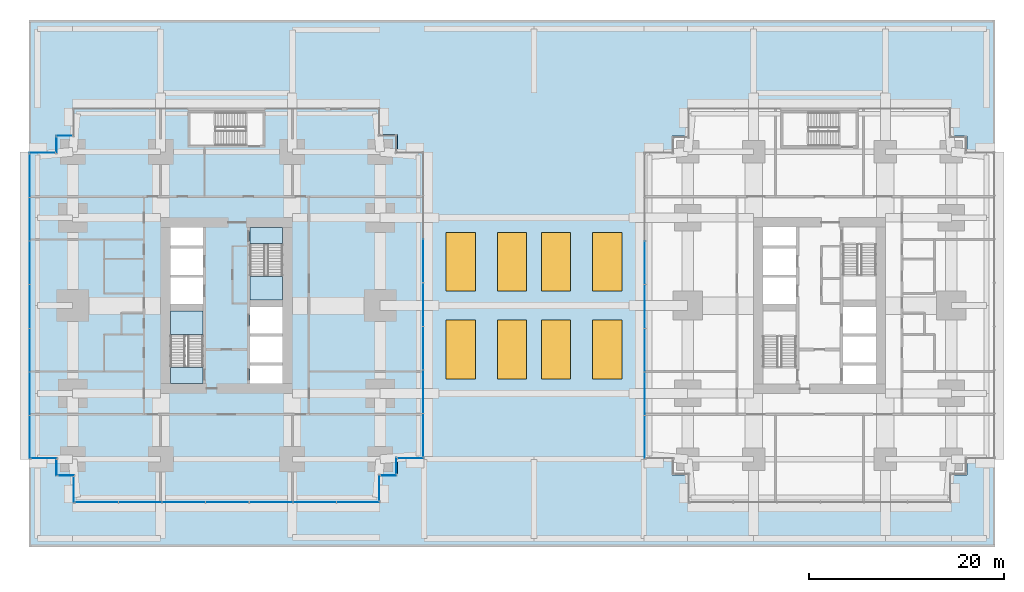
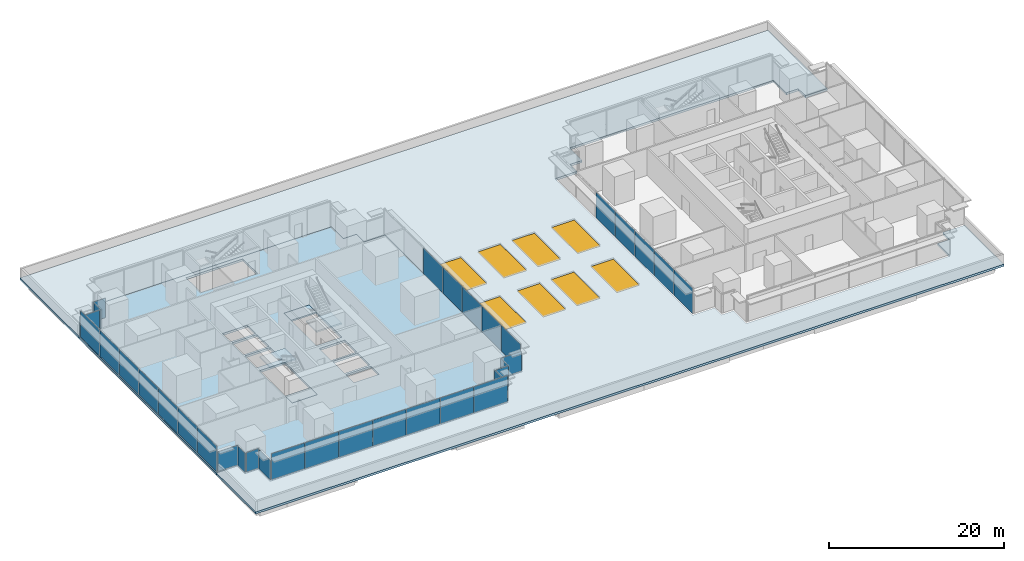
# One storey, part 21 of 34: 35 plates, 8 windows, 6 slabs, 8 openings, 17 elements without a shape of their own.
"""IFC4 building model written with IfcOpenShell, lengths in metres."""

from ifc_helpers import new_model, si_unit, direction, frame, origin, origin_2d, place, context, subcontext, project, spatial, polyline, rectangle, outline, extrude, material, layer, layer_set, type_object, element, fill, aggregate, save


model = new_model("IFC4")

# Units and contexts
model_context = context("Model", 3, precision=1e-05, world=origin(), true_north=direction((0.0, 1.0)))
body_context = subcontext(model_context, "Body", "Model", "MODEL_VIEW")
ifc_project = project(units=[si_unit("LENGTHUNIT", "METRE"), si_unit("AREAUNIT", "SQUARE_METRE"), si_unit("VOLUMEUNIT", "CUBIC_METRE"), si_unit("PLANEANGLEUNIT", "RADIAN"), si_unit("MASSUNIT", "GRAM", prefix="KILO")], contexts=[model_context])

# Site, building, storey
site_placement = place(None, origin())
site = spatial("IfcSite", under=ifc_project, at=site_placement, CompositionType="ELEMENT")
building_placement = place(site_placement, origin())
building = spatial("IfcBuilding", under=site, at=building_placement, Name="Namib Vertical Campus", CompositionType="ELEMENT")
storey_placement = place(building_placement, frame((0.0, 0.0, 21.0)))
storey = spatial("IfcBuildingStorey", under=building, at=storey_placement, Name="L04", CompositionType="ELEMENT", Elevation=21.0)

# Curtain wall, plates
ifc_material_1 = material(Name="Black aluminium curtain wall", Category="aluminium")
ifc_layer_1 = layer(ifc_material_1, 0.199951171875)
ifc_layer_set_1 = layer_set([ifc_layer_1], Name="Lounge curtain wall CW-L4")
curtain_wall_type = type_object("IfcCurtainWallType", Name="Lounge curtain wall CW-L4", PredefinedType="USERDEFINED", material=ifc_layer_set_1)
curtain_wall_1_placement = place(storey_placement, origin())
curtain_wall_1 = element("IfcCurtainWall", 1, at=curtain_wall_1_placement, inside=storey, type_object=curtain_wall_type, Name="Curtain wall CW-L4 L04 F01-1", ObjectType="CURTAIN WALL", PredefinedType="USERDEFINED")
ifc_material_2 = material(Name="Dark tinted glass", Category="glass")
ifc_layer_2 = layer(ifc_material_2, 0.028076171875)
ifc_layer_set_2 = layer_set([ifc_layer_2], Name="Dark solar glass panel 28")
plate_type = type_object("IfcPlateType", Name="Dark solar glass panel 28", PredefinedType="CURTAIN_PANEL", material=ifc_layer_set_2)
plate_1_placement = place(storey_placement, frame((6.95068359375, 0.10009765625, 0.06005859375), z_axis=(0.0, 0.0, 1.0), x_axis=(1.0, 0.0, 0.0)))
plate_1 = element("IfcPlate", 2, at=plate_1_placement, type_object=plate_type, Name="CW-L4 panel 1.1", PredefinedType="CURTAIN_PANEL", context=body_context, shape_type="SweptSolid", body=[
    extrude(rectangle(XDim=4.38134765625, YDim=0.028076171875, at=origin_2d()), origin(), (0.0, 0.0, 1.0), 3.6298828125),
])
plate_2_placement = place(storey_placement, frame((11.4072265625, 0.10009765625, 0.06005859375), z_axis=(0.0, 0.0, 1.0), x_axis=(1.0, 0.0, 0.0)))
plate_2 = element("IfcPlate", 3, at=plate_2_placement, type_object=plate_type, Name="CW-L4 panel 2.1", PredefinedType="CURTAIN_PANEL", context=body_context, shape_type="SweptSolid", body=[
    extrude(rectangle(XDim=4.411376953125, YDim=0.028076171875, at=origin_2d()), origin(), (0.0, 0.0, 1.0), 3.6298828125),
])
plate_3_placement = place(storey_placement, frame((15.878662109375, 0.10009765625, 0.06005859375), z_axis=(0.0, 0.0, 1.0), x_axis=(1.0, 0.0, 0.0)))
plate_3 = element("IfcPlate", 4, at=plate_3_placement, type_object=plate_type, Name="CW-L4 panel 3.1", PredefinedType="CURTAIN_PANEL", context=body_context, shape_type="SweptSolid", body=[
    extrude(rectangle(XDim=4.411376953125, YDim=0.028076171875, at=origin_2d()), origin(), (0.0, 0.0, 1.0), 3.6298828125),
])
plate_4_placement = place(storey_placement, frame((20.35009765625, 0.10009765625, 0.06005859375), z_axis=(0.0, 0.0, 1.0), x_axis=(1.0, 0.0, 0.0)))
plate_4 = element("IfcPlate", 5, at=plate_4_placement, type_object=plate_type, Name="CW-L4 panel 4.1", PredefinedType="CURTAIN_PANEL", context=body_context, shape_type="SweptSolid", body=[
    extrude(rectangle(XDim=4.411376953125, YDim=0.028076171875, at=origin_2d()), origin(), (0.0, 0.0, 1.0), 3.6298828125),
])
plate_5_placement = place(storey_placement, frame((24.821533203125, 0.10009765625, 0.06005859375), z_axis=(0.0, 0.0, 1.0), x_axis=(1.0, 0.0, 0.0)))
plate_5 = element("IfcPlate", 6, at=plate_5_placement, type_object=plate_type, Name="CW-L4 panel 5.1", PredefinedType="CURTAIN_PANEL", context=body_context, shape_type="SweptSolid", body=[
    extrude(rectangle(XDim=4.411376953125, YDim=0.028076171875, at=origin_2d()), origin(), (0.0, 0.0, 1.0), 3.6298828125),
])
plate_6_placement = place(storey_placement, frame((29.29296875, 0.10009765625, 0.06005859375), z_axis=(0.0, 0.0, 1.0), x_axis=(1.0, 0.0, 0.0)))
plate_6 = element("IfcPlate", 7, at=plate_6_placement, type_object=plate_type, Name="CW-L4 panel 6.1", PredefinedType="CURTAIN_PANEL", context=body_context, shape_type="SweptSolid", body=[
    extrude(rectangle(XDim=4.411376953125, YDim=0.028076171875, at=origin_2d()), origin(), (0.0, 0.0, 1.0), 3.6298828125),
])
plate_7_placement = place(storey_placement, frame((33.749267578125, 0.10009765625, 0.06005859375), z_axis=(0.0, 0.0, 1.0), x_axis=(1.0, 0.0, 0.0)))
plate_7 = element("IfcPlate", 8, at=plate_7_placement, type_object=plate_type, Name="CW-L4 panel 7.1", PredefinedType="CURTAIN_PANEL", context=body_context, shape_type="SweptSolid", body=[
    extrude(rectangle(XDim=4.38134765625, YDim=0.028076171875, at=origin_2d()), origin(), (0.0, 0.0, 1.0), 3.6298828125),
])
aggregate(curtain_wall_1, [plate_1, plate_2, plate_3, plate_4, plate_5, plate_6, plate_7])

# Curtain wall, plate
curtain_wall_2_placement = place(storey_placement, origin())
curtain_wall_2 = element("IfcCurtainWall", 9, at=curtain_wall_2_placement, inside=storey, type_object=curtain_wall_type, Name="Curtain wall CW-L4 L04 F02-1", ObjectType="CURTAIN WALL", PredefinedType="USERDEFINED")
plate_8_placement = place(storey_placement, frame((35.89990234375, 1.574951171875, 0.06005859375), z_axis=(0.0, 0.0, 1.0), x_axis=(0.0, 1.0, 0.0)))
plate_8 = element("IfcPlate", 10, at=plate_8_placement, type_object=plate_type, Name="CW-L4 panel 1.1", PredefinedType="CURTAIN_PANEL", context=body_context, shape_type="SweptSolid", body=[
    extrude(rectangle(XDim=2.6298828125, YDim=0.028076171875, at=origin_2d()), origin(), (0.0, 0.0, 1.0), 2.72998046875),
])
aggregate(curtain_wall_2, [plate_8])

curtain_wall_3_placement = place(storey_placement, origin())
curtain_wall_3 = element("IfcCurtainWall", 11, at=curtain_wall_3_placement, inside=storey, type_object=curtain_wall_type, Name="Curtain wall CW-L4 L04 F03-1", ObjectType="CURTAIN WALL", PredefinedType="USERDEFINED")
plate_9_placement = place(storey_placement, frame((36.875, 2.85009765625, 0.06005859375), z_axis=(0.0, 0.0, 1.0), x_axis=(1.0, 0.0, 0.0)))
plate_9 = element("IfcPlate", 12, at=plate_9_placement, type_object=plate_type, Name="CW-L4 panel 1.1", PredefinedType="CURTAIN_PANEL", context=body_context, shape_type="SweptSolid", body=[
    extrude(rectangle(XDim=1.6298828125, YDim=0.028076171875, at=origin_2d()), origin(), (0.0, 0.0, 1.0), 2.72998046875),
])
aggregate(curtain_wall_3, [plate_9])

curtain_wall_4_placement = place(storey_placement, origin())
curtain_wall_4 = element("IfcCurtainWall", 13, at=curtain_wall_4_placement, inside=storey, type_object=curtain_wall_type, Name="Curtain wall CW-L4 L04 F04-1", ObjectType="CURTAIN WALL", PredefinedType="USERDEFINED")
plate_10_placement = place(storey_placement, frame((37.64990234375, 3.824951171875, 0.06005859375), z_axis=(0.0, 0.0, 1.0), x_axis=(0.0, 1.0, 0.0)))
plate_10 = element("IfcPlate", 14, at=plate_10_placement, type_object=plate_type, Name="CW-L4 panel 1.1", PredefinedType="CURTAIN_PANEL", context=body_context, shape_type="SweptSolid", body=[
    extrude(rectangle(XDim=1.6298828125, YDim=0.028076171875, at=origin_2d()), origin(), (0.0, 0.0, 1.0), 2.72998046875),
])
aggregate(curtain_wall_4, [plate_10])

curtain_wall_5_placement = place(storey_placement, origin())
curtain_wall_5 = element("IfcCurtainWall", 15, at=curtain_wall_5_placement, inside=storey, type_object=curtain_wall_type, Name="Curtain wall CW-L4 L04 F05-1", ObjectType="CURTAIN WALL", PredefinedType="USERDEFINED")
plate_11_placement = place(storey_placement, frame((39.125, 4.60009765625, 0.06005859375), z_axis=(0.0, 0.0, 1.0), x_axis=(1.0, 0.0, 0.0)))
plate_11 = element("IfcPlate", 16, at=plate_11_placement, type_object=plate_type, Name="CW-L4 panel 1.1", PredefinedType="CURTAIN_PANEL", context=body_context, shape_type="SweptSolid", body=[
    extrude(rectangle(XDim=2.6298828125, YDim=0.028076171875, at=origin_2d()), origin(), (0.0, 0.0, 1.0), 2.72998046875),
])
aggregate(curtain_wall_5, [plate_11])

# Curtain wall, plates
curtain_wall_6_placement = place(storey_placement, origin())
curtain_wall_6 = element("IfcCurtainWall", 17, at=curtain_wall_6_placement, inside=storey, type_object=curtain_wall_type, Name="Curtain wall CW-L4 L04 F06-1", ObjectType="CURTAIN WALL", PredefinedType="USERDEFINED")
plate_12_placement = place(storey_placement, frame((40.39990234375, 6.95068359375, 0.06005859375), z_axis=(0.0, 0.0, 1.0), x_axis=(0.0, 1.0, 0.0)))
plate_12 = element("IfcPlate", 18, at=plate_12_placement, type_object=plate_type, Name="CW-L4 panel 1.1", PredefinedType="CURTAIN_PANEL", context=body_context, shape_type="SweptSolid", body=[
    extrude(rectangle(XDim=4.38134765625, YDim=0.028076171875, at=origin_2d()), origin(), (0.0, 0.0, 1.0), 3.6298828125),
])
plate_13_placement = place(storey_placement, frame((40.39990234375, 11.4072265625, 0.06005859375), z_axis=(0.0, 0.0, 1.0), x_axis=(0.0, 1.0, 0.0)))
plate_13 = element("IfcPlate", 19, at=plate_13_placement, type_object=plate_type, Name="CW-L4 panel 2.1", PredefinedType="CURTAIN_PANEL", context=body_context, shape_type="SweptSolid", body=[
    extrude(rectangle(XDim=4.411376953125, YDim=0.028076171875, at=origin_2d()), origin(), (0.0, 0.0, 1.0), 3.6298828125),
])
plate_14_placement = place(storey_placement, frame((40.39990234375, 15.878662109375, 0.06005859375), z_axis=(0.0, 0.0, 1.0), x_axis=(0.0, 1.0, 0.0)))
plate_14 = element("IfcPlate", 20, at=plate_14_placement, type_object=plate_type, Name="CW-L4 panel 3.1", PredefinedType="CURTAIN_PANEL", context=body_context, shape_type="SweptSolid", body=[
    extrude(rectangle(XDim=4.411376953125, YDim=0.028076171875, at=origin_2d()), origin(), (0.0, 0.0, 1.0), 3.6298828125),
])
plate_15_placement = place(storey_placement, frame((40.39990234375, 20.35009765625, 0.06005859375), z_axis=(0.0, 0.0, 1.0), x_axis=(0.0, 1.0, 0.0)))
plate_15 = element("IfcPlate", 21, at=plate_15_placement, type_object=plate_type, Name="CW-L4 panel 4.1", PredefinedType="CURTAIN_PANEL", context=body_context, shape_type="SweptSolid", body=[
    extrude(rectangle(XDim=4.411376953125, YDim=0.028076171875, at=origin_2d()), origin(), (0.0, 0.0, 1.0), 3.6298828125),
])
plate_16_placement = place(storey_placement, frame((40.39990234375, 24.821533203125, 0.06005859375), z_axis=(0.0, 0.0, 1.0), x_axis=(0.0, 1.0, 0.0)))
plate_16 = element("IfcPlate", 22, at=plate_16_placement, type_object=plate_type, Name="CW-L4 panel 5.1", PredefinedType="CURTAIN_PANEL", context=body_context, shape_type="SweptSolid", body=[
    extrude(rectangle(XDim=4.411376953125, YDim=0.028076171875, at=origin_2d()), origin(), (0.0, 0.0, 1.0), 3.6298828125),
])
aggregate(curtain_wall_6, [plate_12, plate_13, plate_14, plate_15, plate_16])

# Curtain wall, plate
curtain_wall_7_placement = place(storey_placement, origin())
curtain_wall_7 = element("IfcCurtainWall", 23, at=curtain_wall_7_placement, inside=storey, type_object=curtain_wall_type, Name="Curtain wall CW-L4 L04 F13-1", ObjectType="CURTAIN WALL", PredefinedType="USERDEFINED")
plate_17_placement = place(storey_placement, frame((3.625, 37.64990234375, 0.06005859375), z_axis=(0.0, 0.0, 1.0), x_axis=(-1.0, 0.0, 0.0)))
plate_17 = element("IfcPlate", 24, at=plate_17_placement, type_object=plate_type, Name="CW-L4 panel 1.1", PredefinedType="CURTAIN_PANEL", context=body_context, shape_type="SweptSolid", body=[
    extrude(rectangle(XDim=1.6298828125, YDim=0.028076171875, at=origin_2d()), origin(), (0.0, 0.0, 1.0), 2.72998046875),
])
aggregate(curtain_wall_7, [plate_17])

curtain_wall_8_placement = place(storey_placement, origin())
curtain_wall_8 = element("IfcCurtainWall", 25, at=curtain_wall_8_placement, inside=storey, type_object=curtain_wall_type, Name="Curtain wall CW-L4 L04 F14-1", ObjectType="CURTAIN WALL", PredefinedType="USERDEFINED")
plate_18_placement = place(storey_placement, frame((2.85009765625, 36.675048828125, 0.06005859375), z_axis=(0.0, 0.0, 1.0), x_axis=(0.0, -1.0, 0.0)))
plate_18 = element("IfcPlate", 26, at=plate_18_placement, type_object=plate_type, Name="CW-L4 panel 1.1", PredefinedType="CURTAIN_PANEL", context=body_context, shape_type="SweptSolid", body=[
    extrude(rectangle(XDim=1.6298828125, YDim=0.028076171875, at=origin_2d()), origin(), (0.0, 0.0, 1.0), 2.72998046875),
])
aggregate(curtain_wall_8, [plate_18])

curtain_wall_9_placement = place(storey_placement, origin())
curtain_wall_9 = element("IfcCurtainWall", 27, at=curtain_wall_9_placement, inside=storey, type_object=curtain_wall_type, Name="Curtain wall CW-L4 L04 F15-1", ObjectType="CURTAIN WALL", PredefinedType="USERDEFINED")
plate_19_placement = place(storey_placement, frame((1.375, 35.89990234375, 0.06005859375), z_axis=(0.0, 0.0, 1.0), x_axis=(-1.0, 0.0, 0.0)))
plate_19 = element("IfcPlate", 28, at=plate_19_placement, type_object=plate_type, Name="CW-L4 panel 1.1", PredefinedType="CURTAIN_PANEL", context=body_context, shape_type="SweptSolid", body=[
    extrude(rectangle(XDim=2.6298828125, YDim=0.028076171875, at=origin_2d()), origin(), (0.0, 0.0, 1.0), 2.72998046875),
])
aggregate(curtain_wall_9, [plate_19])

# Curtain wall, plates
curtain_wall_10_placement = place(storey_placement, origin())
curtain_wall_10 = element("IfcCurtainWall", 29, at=curtain_wall_10_placement, inside=storey, type_object=curtain_wall_type, Name="Curtain wall CW-L4 L04 F16-1", ObjectType="CURTAIN WALL", PredefinedType="USERDEFINED")
plate_20_placement = place(storey_placement, frame((0.10009765625, 33.54931640625, 0.06005859375), z_axis=(0.0, 0.0, 1.0), x_axis=(0.0, -1.0, 0.0)))
plate_20 = element("IfcPlate", 30, at=plate_20_placement, type_object=plate_type, Name="CW-L4 panel 1.1", PredefinedType="CURTAIN_PANEL", context=body_context, shape_type="SweptSolid", body=[
    extrude(rectangle(XDim=4.38134765625, YDim=0.028076171875, at=origin_2d()), origin(), (0.0, 0.0, 1.0), 3.6298828125),
])
plate_21_placement = place(storey_placement, frame((0.10009765625, 29.0927734375, 0.06005859375), z_axis=(0.0, 0.0, 1.0), x_axis=(0.0, -1.0, 0.0)))
plate_21 = element("IfcPlate", 31, at=plate_21_placement, type_object=plate_type, Name="CW-L4 panel 2.1", PredefinedType="CURTAIN_PANEL", context=body_context, shape_type="SweptSolid", body=[
    extrude(rectangle(XDim=4.411376953125, YDim=0.028076171875, at=origin_2d()), origin(), (0.0, 0.0, 1.0), 3.6298828125),
])
plate_22_placement = place(storey_placement, frame((0.10009765625, 24.621337890625, 0.06005859375), z_axis=(0.0, 0.0, 1.0), x_axis=(0.0, -1.0, 0.0)))
plate_22 = element("IfcPlate", 32, at=plate_22_placement, type_object=plate_type, Name="CW-L4 panel 3.1", PredefinedType="CURTAIN_PANEL", context=body_context, shape_type="SweptSolid", body=[
    extrude(rectangle(XDim=4.411376953125, YDim=0.028076171875, at=origin_2d()), origin(), (0.0, 0.0, 1.0), 3.6298828125),
])
plate_23_placement = place(storey_placement, frame((0.10009765625, 20.14990234375, 0.06005859375), z_axis=(0.0, 0.0, 1.0), x_axis=(0.0, -1.0, 0.0)))
plate_23 = element("IfcPlate", 33, at=plate_23_placement, type_object=plate_type, Name="CW-L4 panel 4.1", PredefinedType="CURTAIN_PANEL", context=body_context, shape_type="SweptSolid", body=[
    extrude(rectangle(XDim=4.411376953125, YDim=0.028076171875, at=origin_2d()), origin(), (0.0, 0.0, 1.0), 3.6298828125),
])
plate_24_placement = place(storey_placement, frame((0.10009765625, 15.678466796875, 0.06005859375), z_axis=(0.0, 0.0, 1.0), x_axis=(0.0, -1.0, 0.0)))
plate_24 = element("IfcPlate", 34, at=plate_24_placement, type_object=plate_type, Name="CW-L4 panel 5.1", PredefinedType="CURTAIN_PANEL", context=body_context, shape_type="SweptSolid", body=[
    extrude(rectangle(XDim=4.411376953125, YDim=0.028076171875, at=origin_2d()), origin(), (0.0, 0.0, 1.0), 3.6298828125),
])
plate_25_placement = place(storey_placement, frame((0.10009765625, 11.20703125, 0.06005859375), z_axis=(0.0, 0.0, 1.0), x_axis=(0.0, -1.0, 0.0)))
plate_25 = element("IfcPlate", 35, at=plate_25_placement, type_object=plate_type, Name="CW-L4 panel 6.1", PredefinedType="CURTAIN_PANEL", context=body_context, shape_type="SweptSolid", body=[
    extrude(rectangle(XDim=4.411376953125, YDim=0.028076171875, at=origin_2d()), origin(), (0.0, 0.0, 1.0), 3.6298828125),
])
plate_26_placement = place(storey_placement, frame((0.10009765625, 6.750732421875, 0.06005859375), z_axis=(0.0, 0.0, 1.0), x_axis=(0.0, -1.0, 0.0)))
plate_26 = element("IfcPlate", 36, at=plate_26_placement, type_object=plate_type, Name="CW-L4 panel 7.1", PredefinedType="CURTAIN_PANEL", context=body_context, shape_type="SweptSolid", body=[
    extrude(rectangle(XDim=4.38134765625, YDim=0.028076171875, at=origin_2d()), origin(), (0.0, 0.0, 1.0), 3.6298828125),
])
aggregate(curtain_wall_10, [plate_20, plate_21, plate_22, plate_23, plate_24, plate_25, plate_26])

# Curtain wall, plate
curtain_wall_11_placement = place(storey_placement, origin())
curtain_wall_11 = element("IfcCurtainWall", 37, at=curtain_wall_11_placement, inside=storey, type_object=curtain_wall_type, Name="Curtain wall CW-L4 L04 F17-1", ObjectType="CURTAIN WALL", PredefinedType="USERDEFINED")
plate_27_placement = place(storey_placement, frame((1.574951171875, 4.60009765625, 0.06005859375), z_axis=(0.0, 0.0, 1.0), x_axis=(1.0, 0.0, 0.0)))
plate_27 = element("IfcPlate", 38, at=plate_27_placement, type_object=plate_type, Name="CW-L4 panel 1.1", PredefinedType="CURTAIN_PANEL", context=body_context, shape_type="SweptSolid", body=[
    extrude(rectangle(XDim=2.6298828125, YDim=0.028076171875, at=origin_2d()), origin(), (0.0, 0.0, 1.0), 2.72998046875),
])
aggregate(curtain_wall_11, [plate_27])

curtain_wall_12_placement = place(storey_placement, origin())
curtain_wall_12 = element("IfcCurtainWall", 39, at=curtain_wall_12_placement, inside=storey, type_object=curtain_wall_type, Name="Curtain wall CW-L4 L04 F18-1", ObjectType="CURTAIN WALL", PredefinedType="USERDEFINED")
plate_28_placement = place(storey_placement, frame((2.85009765625, 3.625, 0.06005859375), z_axis=(0.0, 0.0, 1.0), x_axis=(0.0, -1.0, 0.0)))
plate_28 = element("IfcPlate", 40, at=plate_28_placement, type_object=plate_type, Name="CW-L4 panel 1.1", PredefinedType="CURTAIN_PANEL", context=body_context, shape_type="SweptSolid", body=[
    extrude(rectangle(XDim=1.6298828125, YDim=0.028076171875, at=origin_2d()), origin(), (0.0, 0.0, 1.0), 2.72998046875),
])
aggregate(curtain_wall_12, [plate_28])

curtain_wall_13_placement = place(storey_placement, origin())
curtain_wall_13 = element("IfcCurtainWall", 41, at=curtain_wall_13_placement, inside=storey, type_object=curtain_wall_type, Name="Curtain wall CW-L4 L04 F19-1", ObjectType="CURTAIN WALL", PredefinedType="USERDEFINED")
plate_29_placement = place(storey_placement, frame((3.824951171875, 2.85009765625, 0.06005859375), z_axis=(0.0, 0.0, 1.0), x_axis=(1.0, 0.0, 0.0)))
plate_29 = element("IfcPlate", 42, at=plate_29_placement, type_object=plate_type, Name="CW-L4 panel 1.1", PredefinedType="CURTAIN_PANEL", context=body_context, shape_type="SweptSolid", body=[
    extrude(rectangle(XDim=1.6298828125, YDim=0.028076171875, at=origin_2d()), origin(), (0.0, 0.0, 1.0), 2.72998046875),
])
aggregate(curtain_wall_13, [plate_29])

curtain_wall_14_placement = place(storey_placement, origin())
curtain_wall_14 = element("IfcCurtainWall", 43, at=curtain_wall_14_placement, inside=storey, type_object=curtain_wall_type, Name="Curtain wall CW-L4 L04 F20-1", ObjectType="CURTAIN WALL", PredefinedType="USERDEFINED")
plate_30_placement = place(storey_placement, frame((4.60009765625, 1.375, 0.06005859375), z_axis=(0.0, 0.0, 1.0), x_axis=(0.0, -1.0, 0.0)))
plate_30 = element("IfcPlate", 44, at=plate_30_placement, type_object=plate_type, Name="CW-L4 panel 1.1", PredefinedType="CURTAIN_PANEL", context=body_context, shape_type="SweptSolid", body=[
    extrude(rectangle(XDim=2.6298828125, YDim=0.028076171875, at=origin_2d()), origin(), (0.0, 0.0, 1.0), 2.72998046875),
])
aggregate(curtain_wall_14, [plate_30])

# Curtain wall, plates
curtain_wall_15_placement = place(storey_placement, origin())
curtain_wall_15 = element("IfcCurtainWall", 45, at=curtain_wall_15_placement, inside=storey, type_object=curtain_wall_type, Name="Curtain wall CW-L4 L04 F16-1", ObjectType="CURTAIN WALL", PredefinedType="USERDEFINED")
plate_31_placement = place(storey_placement, frame((63.10009765625, 24.621337890625, 0.06005859375), z_axis=(0.0, 0.0, 1.0), x_axis=(0.0, -1.0, 0.0)))
plate_31 = element("IfcPlate", 46, at=plate_31_placement, type_object=plate_type, Name="CW-L4 panel 3.1", PredefinedType="CURTAIN_PANEL", context=body_context, shape_type="SweptSolid", body=[
    extrude(rectangle(XDim=4.411376953125, YDim=0.028076171875, at=origin_2d()), origin(), (0.0, 0.0, 1.0), 3.6298828125),
])
plate_32_placement = place(storey_placement, frame((63.10009765625, 20.14990234375, 0.06005859375), z_axis=(0.0, 0.0, 1.0), x_axis=(0.0, -1.0, 0.0)))
plate_32 = element("IfcPlate", 47, at=plate_32_placement, type_object=plate_type, Name="CW-L4 panel 4.1", PredefinedType="CURTAIN_PANEL", context=body_context, shape_type="SweptSolid", body=[
    extrude(rectangle(XDim=4.411376953125, YDim=0.028076171875, at=origin_2d()), origin(), (0.0, 0.0, 1.0), 3.6298828125),
])
plate_33_placement = place(storey_placement, frame((63.10009765625, 15.678466796875, 0.06005859375), z_axis=(0.0, 0.0, 1.0), x_axis=(0.0, -1.0, 0.0)))
plate_33 = element("IfcPlate", 48, at=plate_33_placement, type_object=plate_type, Name="CW-L4 panel 5.1", PredefinedType="CURTAIN_PANEL", context=body_context, shape_type="SweptSolid", body=[
    extrude(rectangle(XDim=4.411376953125, YDim=0.028076171875, at=origin_2d()), origin(), (0.0, 0.0, 1.0), 3.6298828125),
])
plate_34_placement = place(storey_placement, frame((63.10009765625, 11.20703125, 0.06005859375), z_axis=(0.0, 0.0, 1.0), x_axis=(0.0, -1.0, 0.0)))
plate_34 = element("IfcPlate", 49, at=plate_34_placement, type_object=plate_type, Name="CW-L4 panel 6.1", PredefinedType="CURTAIN_PANEL", context=body_context, shape_type="SweptSolid", body=[
    extrude(rectangle(XDim=4.411376953125, YDim=0.028076171875, at=origin_2d()), origin(), (0.0, 0.0, 1.0), 3.6298828125),
])
plate_35_placement = place(storey_placement, frame((63.10009765625, 6.750732421875, 0.06005859375), z_axis=(0.0, 0.0, 1.0), x_axis=(0.0, -1.0, 0.0)))
plate_35 = element("IfcPlate", 50, at=plate_35_placement, type_object=plate_type, Name="CW-L4 panel 7.1", PredefinedType="CURTAIN_PANEL", context=body_context, shape_type="SweptSolid", body=[
    extrude(rectangle(XDim=4.38134765625, YDim=0.028076171875, at=origin_2d()), origin(), (0.0, 0.0, 1.0), 3.6298828125),
])
aggregate(curtain_wall_15, [plate_31, plate_32, plate_33, plate_34, plate_35])

# Slab
ifc_material_3 = material(Name="Concrete C40/50", Category="concrete")
ifc_layer_3 = layer(ifc_material_3, 0.300048828125)
ifc_layer_set_3 = layer_set([ifc_layer_3], Name="Concrete C40/50")
slab_type_1 = type_object("IfcSlabType", Name="Floor slab 300", PredefinedType="FLOOR", material=ifc_layer_set_3)
slab_1_placement = place(storey_placement, frame((0.0, 0.0, -0.300048828125)))
element("IfcSlab", 51, at=slab_1_placement, inside=storey, type_object=slab_type_1, Name="Floor slab A L04", PredefinedType="FLOOR", context=body_context, shape_type="SweptSolid", body=[
    extrude(outline(polyline([(4.5, 0.0), (36.0, 0.0), (36.0, 2.75), (37.75, 2.75), (37.75, 4.5), (40.5, 4.5), (40.5, 36.0), (37.75, 36.0), (37.75, 37.75), (36.0, 37.75), (36.0, 40.5), (4.5, 40.5), (4.5, 37.75), (2.75, 37.75), (2.75, 36.0), (0.0, 36.0), (0.0, 4.5), (2.75, 4.5), (2.75, 2.75), (4.5, 2.75), (4.5, 0.0)]), holes=[polyline([(14.5, 12.25), (17.85009765625, 12.25), (17.85009765625, 19.699951171875), (14.5, 19.699951171875), (14.5, 12.25)]), polyline([(22.64990234375, 20.800048828125), (26.0, 20.800048828125), (26.0, 28.25), (22.64990234375, 28.25), (22.64990234375, 20.800048828125)]), polyline([(22.64990234375, 12.25), (26.0, 12.25), (26.0, 14.10009765625), (22.64990234375, 14.10009765625), (22.64990234375, 12.25)]), polyline([(14.5, 20.39990234375), (17.85009765625, 20.39990234375), (17.85009765625, 23.10009765625), (14.5, 23.10009765625), (14.5, 20.39990234375)]), polyline([(14.5, 23.39990234375), (17.85009765625, 23.39990234375), (17.85009765625, 26.10009765625), (14.5, 26.10009765625), (14.5, 23.39990234375)]), polyline([(14.5, 26.39990234375), (17.85009765625, 26.39990234375), (17.85009765625, 28.25), (14.5, 28.25), (14.5, 26.39990234375)]), polyline([(22.64990234375, 14.39990234375), (26.0, 14.39990234375), (26.0, 17.10009765625), (22.64990234375, 17.10009765625), (22.64990234375, 14.39990234375)]), polyline([(22.64990234375, 17.39990234375), (26.0, 17.39990234375), (26.0, 20.10009765625), (22.64990234375, 20.10009765625), (22.64990234375, 17.39990234375)]), polyline([(16.5, 36.64990234375), (24.0, 36.64990234375), (24.0, 40.0), (16.5, 40.0), (16.5, 36.64990234375)])]), origin(), (0.0, 0.0, 1.0), 0.300048828125),
])

# Slab, openings, windows
ifc_material_4 = material(Name="Concrete C40/50", Category="concrete")
ifc_layer_4 = layer(ifc_material_4, 0.300048828125)
ifc_layer_set_4 = layer_set([ifc_layer_4], Name="Concrete C40/50")
slab_type_2 = type_object("IfcSlabType", Name="Podium roof slab 300", PredefinedType="ROOF", material=ifc_layer_set_4)
slab_2_placement = place(storey_placement, frame((0.0, 0.0, -0.300048828125)))
slab_2 = element("IfcSlab", 52, at=slab_2_placement, inside=storey, type_object=slab_type_2, Name="Podium roof (maintenance access only)", PredefinedType="ROOF", context=body_context, shape_type="SweptSolid", body=[
    extrude(outline(polyline([(99.0, -4.5), (99.0, 4.5), (96.10009765625, 4.5), (96.10009765625, 2.89990234375), (94.5, 2.89990234375), (94.5, 0.0), (67.5, 0.0), (67.5, 2.89990234375), (65.89990234375, 2.89990234375), (65.89990234375, 4.5), (63.0, 4.5), (63.0, 36.0), (65.89990234375, 36.0), (65.89990234375, 37.60009765625), (67.5, 37.60009765625), (67.5, 40.5), (94.5, 40.5), (94.5, 37.60009765625), (96.10009765625, 37.60009765625), (96.10009765625, 36.0), (99.0, 36.0), (99.0, 49.5), (0.0, 49.5), (0.0, 36.0), (2.75, 36.0), (2.75, 37.75), (4.5, 37.75), (4.5, 40.5), (36.0, 40.5), (36.0, 37.75), (37.75, 37.75), (37.75, 36.0), (40.5, 36.0), (40.5, 4.5), (37.75, 4.5), (37.75, 2.75), (36.0, 2.75), (36.0, 0.0), (4.5, 0.0), (4.5, 2.75), (2.75, 2.75), (2.75, 4.5), (0.0, 4.5), (0.0, -4.5), (99.0, -4.5)])), origin(), (0.0, 0.0, 1.0), 0.300048828125),
])
opening_1_placement = place(slab_2_placement, frame((44.25, 15.75, 0.0)))
opening_1 = element("IfcOpeningElement", 53, at=opening_1_placement, cuts=slab_2, Name="Opening RL1", PredefinedType="OPENING", context=body_context, shape_type="SweptSolid", body=[
    extrude(rectangle(XDim=3.0, YDim=6.0, at=origin_2d()), origin(), (0.0, 0.0, 1.0), 0.300048828125),
])
opening_2_placement = place(slab_2_placement, frame((44.25, 24.75, 0.0)))
opening_2 = element("IfcOpeningElement", 54, at=opening_2_placement, cuts=slab_2, Name="Opening RL1", PredefinedType="OPENING", context=body_context, shape_type="SweptSolid", body=[
    extrude(rectangle(XDim=3.0, YDim=6.0, at=origin_2d()), origin(), (0.0, 0.0, 1.0), 0.300048828125),
])
opening_3_placement = place(slab_2_placement, frame((49.5, 15.75, 0.0)))
opening_3 = element("IfcOpeningElement", 55, at=opening_3_placement, cuts=slab_2, Name="Opening RL1", PredefinedType="OPENING", context=body_context, shape_type="SweptSolid", body=[
    extrude(rectangle(XDim=3.0, YDim=6.0, at=origin_2d()), origin(), (0.0, 0.0, 1.0), 0.300048828125),
])
opening_4_placement = place(slab_2_placement, frame((49.5, 24.75, 0.0)))
opening_4 = element("IfcOpeningElement", 56, at=opening_4_placement, cuts=slab_2, Name="Opening RL1", PredefinedType="OPENING", context=body_context, shape_type="SweptSolid", body=[
    extrude(rectangle(XDim=3.0, YDim=6.0, at=origin_2d()), origin(), (0.0, 0.0, 1.0), 0.300048828125),
])
opening_5_placement = place(slab_2_placement, frame((54.0, 15.75, 0.0)))
opening_5 = element("IfcOpeningElement", 57, at=opening_5_placement, cuts=slab_2, Name="Opening RL1", PredefinedType="OPENING", context=body_context, shape_type="SweptSolid", body=[
    extrude(rectangle(XDim=3.0, YDim=6.0, at=origin_2d()), origin(), (0.0, 0.0, 1.0), 0.300048828125),
])
opening_6_placement = place(slab_2_placement, frame((54.0, 24.75, 0.0)))
opening_6 = element("IfcOpeningElement", 58, at=opening_6_placement, cuts=slab_2, Name="Opening RL1", PredefinedType="OPENING", context=body_context, shape_type="SweptSolid", body=[
    extrude(rectangle(XDim=3.0, YDim=6.0, at=origin_2d()), origin(), (0.0, 0.0, 1.0), 0.300048828125),
])
opening_7_placement = place(slab_2_placement, frame((59.25, 15.75, 0.0)))
opening_7 = element("IfcOpeningElement", 59, at=opening_7_placement, cuts=slab_2, Name="Opening RL1", PredefinedType="OPENING", context=body_context, shape_type="SweptSolid", body=[
    extrude(rectangle(XDim=3.0, YDim=6.0, at=origin_2d()), origin(), (0.0, 0.0, 1.0), 0.300048828125),
])
opening_8_placement = place(slab_2_placement, frame((59.25, 24.75, 0.0)))
opening_8 = element("IfcOpeningElement", 60, at=opening_8_placement, cuts=slab_2, Name="Opening RL1", PredefinedType="OPENING", context=body_context, shape_type="SweptSolid", body=[
    extrude(rectangle(XDim=3.0, YDim=6.0, at=origin_2d()), origin(), (0.0, 0.0, 1.0), 0.300048828125),
])
ifc_material_5 = material(Name="Laminated solar glass rooflight", Category="glass")
window_type = type_object("IfcWindowType", Name="Atrium skylight 3000x6000", PartitioningType="SINGLE_PANEL", PredefinedType="SKYLIGHT", material=ifc_material_5)
window_1_placement = place(opening_1_placement, frame((0.0, 0.0, 0.25)))
window_1 = element("IfcWindow", 61, at=window_1_placement, inside=storey, type_object=window_type, Name="Atrium skylight RL1 1", OverallHeight=6.0, OverallWidth=3.0, PartitioningType="SINGLE_PANEL", PredefinedType="SKYLIGHT", context=body_context, shape_type="SweptSolid", body=[
    extrude(rectangle(XDim=3.0, YDim=6.0, at=origin_2d()), origin(), (0.0, 0.0, 1.0), 0.050048828125),
])
fill(opening_1, window_1)
window_2_placement = place(opening_2_placement, frame((0.0, 0.0, 0.25)))
window_2 = element("IfcWindow", 62, at=window_2_placement, inside=storey, type_object=window_type, Name="Atrium skylight RL1 2", OverallHeight=6.0, OverallWidth=3.0, PartitioningType="SINGLE_PANEL", PredefinedType="SKYLIGHT", context=body_context, shape_type="SweptSolid", body=[
    extrude(rectangle(XDim=3.0, YDim=6.0, at=origin_2d()), origin(), (0.0, 0.0, 1.0), 0.050048828125),
])
fill(opening_2, window_2)
window_3_placement = place(opening_3_placement, frame((0.0, 0.0, 0.25)))
window_3 = element("IfcWindow", 63, at=window_3_placement, inside=storey, type_object=window_type, Name="Atrium skylight RL1 3", OverallHeight=6.0, OverallWidth=3.0, PartitioningType="SINGLE_PANEL", PredefinedType="SKYLIGHT", context=body_context, shape_type="SweptSolid", body=[
    extrude(rectangle(XDim=3.0, YDim=6.0, at=origin_2d()), origin(), (0.0, 0.0, 1.0), 0.050048828125),
])
fill(opening_3, window_3)
window_4_placement = place(opening_4_placement, frame((0.0, 0.0, 0.25)))
window_4 = element("IfcWindow", 64, at=window_4_placement, inside=storey, type_object=window_type, Name="Atrium skylight RL1 4", OverallHeight=6.0, OverallWidth=3.0, PartitioningType="SINGLE_PANEL", PredefinedType="SKYLIGHT", context=body_context, shape_type="SweptSolid", body=[
    extrude(rectangle(XDim=3.0, YDim=6.0, at=origin_2d()), origin(), (0.0, 0.0, 1.0), 0.050048828125),
])
fill(opening_4, window_4)
window_5_placement = place(opening_5_placement, frame((0.0, 0.0, 0.25)))
window_5 = element("IfcWindow", 65, at=window_5_placement, inside=storey, type_object=window_type, Name="Atrium skylight RL1 5", OverallHeight=6.0, OverallWidth=3.0, PartitioningType="SINGLE_PANEL", PredefinedType="SKYLIGHT", context=body_context, shape_type="SweptSolid", body=[
    extrude(rectangle(XDim=3.0, YDim=6.0, at=origin_2d()), origin(), (0.0, 0.0, 1.0), 0.050048828125),
])
fill(opening_5, window_5)
window_6_placement = place(opening_6_placement, frame((0.0, 0.0, 0.25)))
window_6 = element("IfcWindow", 66, at=window_6_placement, inside=storey, type_object=window_type, Name="Atrium skylight RL1 6", OverallHeight=6.0, OverallWidth=3.0, PartitioningType="SINGLE_PANEL", PredefinedType="SKYLIGHT", context=body_context, shape_type="SweptSolid", body=[
    extrude(rectangle(XDim=3.0, YDim=6.0, at=origin_2d()), origin(), (0.0, 0.0, 1.0), 0.050048828125),
])
fill(opening_6, window_6)
window_7_placement = place(opening_7_placement, frame((0.0, 0.0, 0.25)))
window_7 = element("IfcWindow", 67, at=window_7_placement, inside=storey, type_object=window_type, Name="Atrium skylight RL1 7", OverallHeight=6.0, OverallWidth=3.0, PartitioningType="SINGLE_PANEL", PredefinedType="SKYLIGHT", context=body_context, shape_type="SweptSolid", body=[
    extrude(rectangle(XDim=3.0, YDim=6.0, at=origin_2d()), origin(), (0.0, 0.0, 1.0), 0.050048828125),
])
fill(opening_7, window_7)
window_8_placement = place(opening_8_placement, frame((0.0, 0.0, 0.25)))
window_8 = element("IfcWindow", 68, at=window_8_placement, inside=storey, type_object=window_type, Name="Atrium skylight RL1 8", OverallHeight=6.0, OverallWidth=3.0, PartitioningType="SINGLE_PANEL", PredefinedType="SKYLIGHT", context=body_context, shape_type="SweptSolid", body=[
    extrude(rectangle(XDim=3.0, YDim=6.0, at=origin_2d()), origin(), (0.0, 0.0, 1.0), 0.050048828125),
])
fill(opening_8, window_8)

# Stair, slabs
ifc_material_6 = material(Name="Concrete C40/50 precast", Category="concrete")
stair_type = type_object("IfcStairType", Name="Exit stair 4000 rise 24 risers 3350 wide", PredefinedType="HALF_TURN_STAIR", material=ifc_material_6)
stair_1_placement = place(storey_placement, origin())
stair_1 = element("IfcStair", 69, at=stair_1_placement, inside=storey, type_object=stair_type, Name="Exit stair A-S1 L04", PredefinedType="HALF_TURN_STAIR")
ifc_material_7 = material(Name="Concrete C40/50", Category="concrete")
ifc_layer_5 = layer(ifc_material_7, 0.199951171875)
ifc_layer_set_5 = layer_set([ifc_layer_5], Name="Concrete C40/50")
slab_type_3 = type_object("IfcSlabType", Name="Stair landing 200", PredefinedType="LANDING", material=ifc_layer_set_5)
slab_3_placement = place(storey_placement, frame((0.0, 0.0, -0.199951171875)))
slab_3 = element("IfcSlab", 70, at=slab_3_placement, type_object=slab_type_3, Name="A-S1 landing 1", PredefinedType="LANDING", context=body_context, shape_type="SweptSolid", body=[
    extrude(outline(polyline([(14.5, 12.25), (17.85009765625, 12.25), (17.85009765625, 13.90380859375), (14.5, 13.90380859375), (14.5, 12.25)])), origin(), (0.0, 0.0, 1.0), 0.199951171875),
])
slab_4_placement = place(storey_placement, frame((0.0, 0.0, 1.800048828125)))
slab_4 = element("IfcSlab", 71, at=slab_4_placement, type_object=slab_type_3, Name="A-S1 landing 2", PredefinedType="LANDING", context=body_context, shape_type="SweptSolid", body=[
    extrude(outline(polyline([(14.5, 17.276123046875), (17.85009765625, 17.276123046875), (17.85009765625, 19.699951171875), (14.5, 19.699951171875), (14.5, 17.276123046875)])), origin(), (0.0, 0.0, 1.0), 0.199951171875),
])
aggregate(stair_1, [slab_3, slab_4])

stair_2_placement = place(storey_placement, origin())
stair_2 = element("IfcStair", 72, at=stair_2_placement, inside=storey, type_object=stair_type, Name="Exit stair A-S2 L04", PredefinedType="HALF_TURN_STAIR")
slab_5_placement = place(storey_placement, frame((0.0, 0.0, -0.199951171875)))
slab_5 = element("IfcSlab", 73, at=slab_5_placement, type_object=slab_type_3, Name="A-S2 landing 1", PredefinedType="LANDING", context=body_context, shape_type="SweptSolid", body=[
    extrude(outline(polyline([(22.64990234375, 26.59619140625), (26.0, 26.59619140625), (26.0, 28.25), (22.64990234375, 28.25), (22.64990234375, 26.59619140625)])), origin(), (0.0, 0.0, 1.0), 0.199951171875),
])
slab_6_placement = place(storey_placement, frame((0.0, 0.0, 1.800048828125)))
slab_6 = element("IfcSlab", 74, at=slab_6_placement, type_object=slab_type_3, Name="A-S2 landing 2", PredefinedType="LANDING", context=body_context, shape_type="SweptSolid", body=[
    extrude(outline(polyline([(22.64990234375, 20.800048828125), (26.0, 20.800048828125), (26.0, 23.223876953125), (22.64990234375, 23.223876953125), (22.64990234375, 20.800048828125)])), origin(), (0.0, 0.0, 1.0), 0.199951171875),
])
aggregate(stair_2, [slab_5, slab_6])

save(model, "model.ifc")
